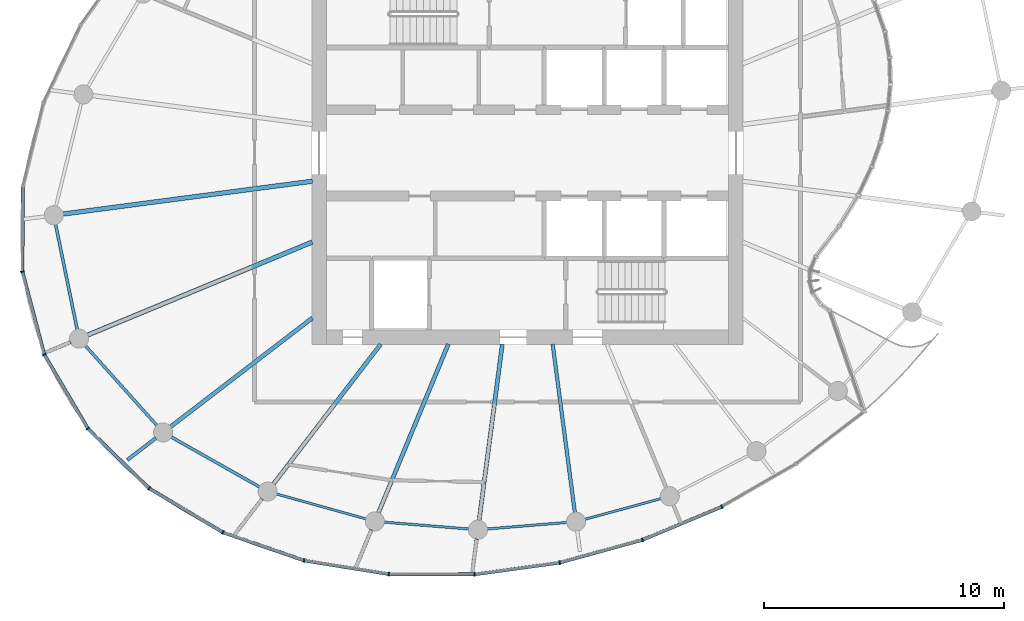
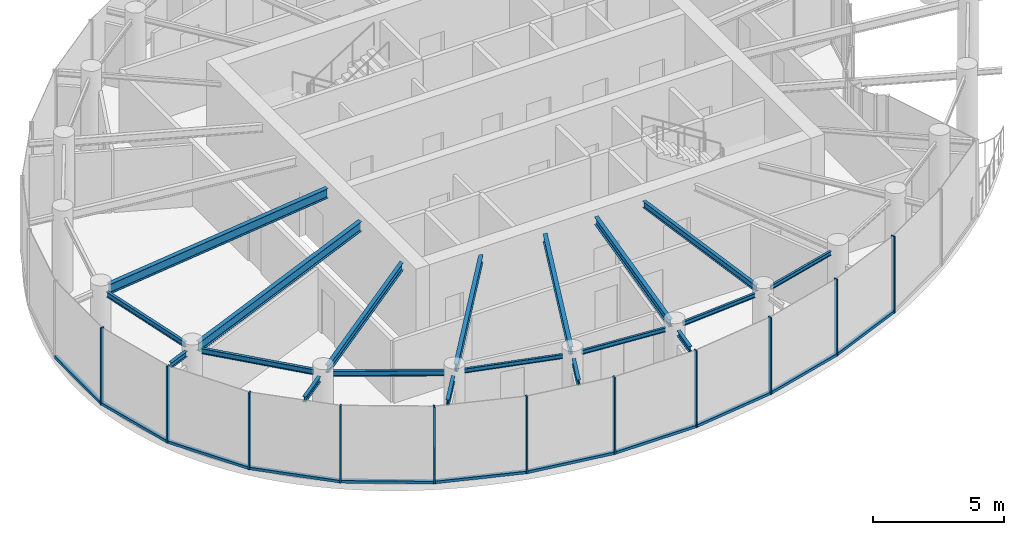
# One storey, part 2 of 14: 22 members, 19 beams, 3 elements without a shape of their own.
"""IFC4 building model written with IfcOpenShell, lengths in metres."""

from ifc_helpers import new_model, si_unit, direction, frame, origin, origin_2d, place, context, subcontext, project, spatial, rectangle, i_section, extrude, source, transform, mapped, material, layer, layer_set, material_profile, profile_set, type_object, element, aggregate, save


model = new_model("IFC4")

# Units and contexts
model_context = context("Model", 3, precision=1e-05, world=origin(), true_north=direction((0.0, 1.0)))
body_context = subcontext(model_context, "Body", "Model", "MODEL_VIEW")
ifc_project = project(units=[si_unit("LENGTHUNIT", "METRE"), si_unit("AREAUNIT", "SQUARE_METRE"), si_unit("VOLUMEUNIT", "CUBIC_METRE"), si_unit("PLANEANGLEUNIT", "RADIAN"), si_unit("MASSUNIT", "GRAM", prefix="KILO")], contexts=[model_context])

# Site, building, storey
site_placement = place(None, origin())
site = spatial("IfcSite", under=ifc_project, at=site_placement, CompositionType="ELEMENT")
building_placement = place(site_placement, origin())
building = spatial("IfcBuilding", under=site, at=building_placement, Name="Spindrift Exchange Tower", CompositionType="ELEMENT")
storey_placement = place(building_placement, frame((0.0, 0.0, 238.39990234375)))
storey = spatial("IfcBuildingStorey", under=building, at=storey_placement, Name="L58", CompositionType="ELEMENT", Elevation=238.39990234375)

# Beams
ifc_material_1 = material(Name="Steel Grade 300", Category="steel")
ifc_material_profile_1 = material_profile(ifc_material_1, i_section(OverallWidth=0.18994140625, OverallDepth=0.4541015625, WebThickness=0.008544921875, FlangeThickness=0.0126953125, FilletRadius=0.013916015625, at=origin_2d()), Name="460UB67.1")
ifc_profile_set_1 = profile_set([ifc_material_profile_1], Name="Steel Grade 300")
beam_type_1 = type_object("IfcBeamType", Name="Floor Beam 460UB67.1 Steel Grade 300", PredefinedType="BEAM", material=ifc_profile_set_1)
shared_shape_1 = source(origin(), body_context, "Body", "SweptSolid", [
    extrude(i_section(OverallWidth=0.18994140625, OverallDepth=0.4541015625, WebThickness=0.008544921875, FlangeThickness=0.0126953125, FilletRadius=0.013916015625, at=origin_2d()), origin(), (0.0, 0.0, 1.0), 10.510009765625),
])
beam_1_placement = place(storey_placement, frame((43.019775390625, 46.817626953125, 3.35302734375), z_axis=(-0.991445042488, -0.130524816516, 0.0), x_axis=(0.130524816516, -0.991445042488, 0.0)))
element("IfcBeam", 1, at=beam_1_placement, inside=storey, type_object=beam_type_1, Name="L58 radial beam R13A", PredefinedType="BEAM", context=body_context, shape_type="MappedRepresentation", body=[
    mapped(shared_shape_1, transform((0.0, 0.0, 0.0), scale=1.0)),
])
shared_shape_2 = source(origin(), body_context, "Body", "SweptSolid", [
    extrude(i_section(OverallWidth=0.18994140625, OverallDepth=0.4541015625, WebThickness=0.008544921875, FlangeThickness=0.0126953125, FilletRadius=0.013916015625, at=origin_2d()), origin(), (0.0, 0.0, 1.0), 10.160400390625),
])
beam_2_placement = place(storey_placement, frame((43.0185546875, 44.27978515625, 3.35302734375), z_axis=(-0.923880358773, -0.382681437588, 0.0), x_axis=(0.382681437588, -0.923880358773, 0.0)))
element("IfcBeam", 2, at=beam_2_placement, inside=storey, type_object=beam_type_1, Name="L58 radial beam R14A", PredefinedType="BEAM", context=body_context, shape_type="MappedRepresentation", body=[
    mapped(shared_shape_2, transform((0.0, 0.0, 0.0), scale=1.0)),
])
ifc_material_profile_2 = material_profile(ifc_material_1, i_section(OverallWidth=0.1708984375, OverallDepth=0.35205078125, WebThickness=0.0068359375, FlangeThickness=0.009765625, FilletRadius=0.013916015625, at=origin_2d()), Name="360UB44.7")
ifc_profile_set_2 = profile_set([ifc_material_profile_2], Name="Steel Grade 300")
beam_type_2 = type_object("IfcBeamType", Name="Floor Beam 360UB44.7 Steel Grade 300", PredefinedType="BEAM", material=ifc_profile_set_2)
shared_shape_3 = source(origin(), body_context, "Body", "SweptSolid", [
    extrude(i_section(OverallWidth=0.1708984375, OverallDepth=0.35205078125, WebThickness=0.0068359375, FlangeThickness=0.009765625, FilletRadius=0.013916015625, at=origin_2d()), origin(), (0.0, 0.0, 1.0), 7.466796875),
])
beam_3_placement = place(storey_placement, frame((43.015869140625, 41.106201171875, 3.404052734375), z_axis=(-0.793360004804, -0.608752743548, 0.0), x_axis=(0.608752743548, -0.793360004804, 0.0)))
element("IfcBeam", 3, at=beam_3_placement, inside=storey, type_object=beam_type_2, Name="L58 radial beam R15A", PredefinedType="BEAM", context=body_context, shape_type="MappedRepresentation", body=[
    mapped(shared_shape_3, transform((0.0, 0.0, 0.0), scale=1.0)),
])
shared_shape_4 = source(origin(), body_context, "Body", "SweptSolid", [
    extrude(i_section(OverallWidth=0.1708984375, OverallDepth=0.35205078125, WebThickness=0.0068359375, FlangeThickness=0.009765625, FilletRadius=0.013916015625, at=origin_2d()), origin(), (0.0, 0.0, 1.0), 7.3740234375),
])
beam_4_placement = place(storey_placement, frame((45.87353515625, 40.015869140625, 3.404052734375), z_axis=(-0.608751913917, -0.793360641387, 0.0), x_axis=(0.793360641387, -0.608751913917, 0.0)))
element("IfcBeam", 4, at=beam_4_placement, inside=storey, type_object=beam_type_2, Name="L58 radial beam R16A", PredefinedType="BEAM", context=body_context, shape_type="MappedRepresentation", body=[
    mapped(shared_shape_4, transform((0.0, 0.0, 0.0), scale=1.0)),
])
shared_shape_5 = source(origin(), body_context, "Body", "SweptSolid", [
    extrude(i_section(OverallWidth=0.1708984375, OverallDepth=0.35205078125, WebThickness=0.0068359375, FlangeThickness=0.009765625, FilletRadius=0.013916015625, at=origin_2d()), origin(), (0.0, 0.0, 1.0), 7.630859375),
])
beam_5_placement = place(storey_placement, frame((48.69384765625, 40.0185546875, 3.404052734375), z_axis=(-0.382676740702, -0.92388230426, 0.0), x_axis=(0.92388230426, -0.382676740702, 0.0)))
element("IfcBeam", 5, at=beam_5_placement, inside=storey, type_object=beam_type_2, Name="L58 radial beam R17A", PredefinedType="BEAM", context=body_context, shape_type="MappedRepresentation", body=[
    mapped(shared_shape_5, transform((0.0, 0.0, 0.0), scale=1.0)),
])
shared_shape_6 = source(origin(), body_context, "Body", "SweptSolid", [
    extrude(i_section(OverallWidth=0.1708984375, OverallDepth=0.35205078125, WebThickness=0.0068359375, FlangeThickness=0.009765625, FilletRadius=0.013916015625, at=origin_2d()), origin(), (0.0, 0.0, 1.0), 7.43798828125),
])
beam_6_placement = place(storey_placement, frame((50.949462890625, 40.019775390625, 3.404052734375), z_axis=(-0.130540269579, -0.991443007953, 0.0), x_axis=(0.991443007953, -0.130540269579, 0.0)))
element("IfcBeam", 6, at=beam_6_placement, inside=storey, type_object=beam_type_2, Name="L58 radial beam R18A", PredefinedType="BEAM", context=body_context, shape_type="MappedRepresentation", body=[
    mapped(shared_shape_6, transform((0.0, 0.0, 0.0), scale=1.0)),
])
ifc_material_profile_3 = material_profile(ifc_material_1, i_section(OverallWidth=0.14892578125, OverallDepth=0.298095703125, WebThickness=0.005615234375, FlangeThickness=0.008056640625, FilletRadius=0.012939453125, at=origin_2d()), Name="310UB32.0")
ifc_profile_set_3 = profile_set([ifc_material_profile_3], Name="Steel Grade 300")
beam_type_3 = type_object("IfcBeamType", Name="Floor Beam 310UB32.0 Steel Grade 300", PredefinedType="BEAM", material=ifc_profile_set_3)
shared_shape_7 = source(origin(), body_context, "Body", "SweptSolid", [
    extrude(i_section(OverallWidth=0.14892578125, OverallDepth=0.298095703125, WebThickness=0.005615234375, FlangeThickness=0.008056640625, FilletRadius=0.012939453125, at=origin_2d()), origin(), (0.0, 0.0, 1.0), 7.099853515625),
])
beam_7_placement = place(storey_placement, frame((53.050537109375, 40.019775390625, 3.43115234375), z_axis=(0.130532789835, -0.991443992759, 0.0), x_axis=(0.991443992759, 0.130532789835, 0.0)))
element("IfcBeam", 7, at=beam_7_placement, inside=storey, type_object=beam_type_3, Name="L58 radial beam R19A", PredefinedType="BEAM", context=body_context, shape_type="MappedRepresentation", body=[
    mapped(shared_shape_7, transform((0.0, 0.0, 0.0), scale=1.0)),
])
ifc_material_profile_4 = material_profile(ifc_material_1, i_section(OverallWidth=0.1240234375, OverallDepth=0.248046875, WebThickness=0.0048828125, FlangeThickness=0.008056640625, FilletRadius=0.011962890625, at=origin_2d()), Name="250UB25.7")
ifc_profile_set_4 = profile_set([ifc_material_profile_4], Name="Steel Grade 300")
beam_type_4 = type_object("IfcBeamType", Name="Edge Beam 250UB25.7 Steel Grade 300", PredefinedType="SPANDREL", material=ifc_profile_set_4)
shared_shape_8 = source(origin(), body_context, "Body", "SweptSolid", [
    extrude(i_section(OverallWidth=0.1240234375, OverallDepth=0.248046875, WebThickness=0.0048828125, FlangeThickness=0.008056640625, FilletRadius=0.011962890625, at=origin_2d()), origin(), (0.0, 0.0, 1.0), 4.497802734375),
])
beam_8_placement = place(storey_placement, frame((32.299072265625, 45.024169921875, 3.4560546875), z_axis=(0.201217935785, -0.979546498293, 0.0), x_axis=(0.979546498293, 0.201217935785, 0.0)))
element("IfcBeam", 8, at=beam_8_placement, inside=storey, type_object=beam_type_4, Name="L58 edge beam E13", PredefinedType="SPANDREL", context=body_context, shape_type="MappedRepresentation", body=[
    mapped(shared_shape_8, transform((0.0, 0.0, 0.0), scale=1.0)),
])
shared_shape_9 = source(origin(), body_context, "Body", "SweptSolid", [
    extrude(i_section(OverallWidth=0.1240234375, OverallDepth=0.248046875, WebThickness=0.0048828125, FlangeThickness=0.008056640625, FilletRadius=0.011962890625, at=origin_2d()), origin(), (0.0, 0.0, 1.0), 4.499755859375),
])
beam_9_placement = place(storey_placement, frame((33.533935546875, 39.963134765625, 3.4560546875), z_axis=(0.667419502646, -0.744681950558, 0.0), x_axis=(0.744681950558, 0.667419502646, 0.0)))
element("IfcBeam", 9, at=beam_9_placement, inside=storey, type_object=beam_type_4, Name="L58 edge beam E14", PredefinedType="SPANDREL", context=body_context, shape_type="MappedRepresentation", body=[
    mapped(shared_shape_9, transform((0.0, 0.0, 0.0), scale=1.0)),
])
shared_shape_10 = source(origin(), body_context, "Body", "SweptSolid", [
    extrude(i_section(OverallWidth=0.1240234375, OverallDepth=0.248046875, WebThickness=0.0048828125, FlangeThickness=0.008056640625, FilletRadius=0.011962890625, at=origin_2d()), origin(), (0.0, 0.0, 1.0), 4.2509765625),
])
beam_10_placement = place(storey_placement, frame((37.121337890625, 36.142333984375, 3.4560546875), z_axis=(0.870615246867, -0.491964523033, 0.0), x_axis=(0.491964523033, 0.870615246867, 0.0)))
element("IfcBeam", 10, at=beam_10_placement, inside=storey, type_object=beam_type_4, Name="L58 edge beam E15", PredefinedType="SPANDREL", context=body_context, shape_type="MappedRepresentation", body=[
    mapped(shared_shape_10, transform((0.0, 0.0, 0.0), scale=1.0)),
])
ifc_material_profile_5 = material_profile(ifc_material_1, i_section(OverallWidth=0.09912109375, OverallDepth=0.197998046875, WebThickness=0.00439453125, FlangeThickness=0.007080078125, FilletRadius=0.010986328125, at=origin_2d()), Name="200UB18.2")
ifc_profile_set_5 = profile_set([ifc_material_profile_5], Name="Steel Grade 300")
beam_type_5 = type_object("IfcBeamType", Name="Edge Beam 200UB18.2 Steel Grade 300", PredefinedType="SPANDREL", material=ifc_profile_set_5)
shared_shape_11 = source(origin(), body_context, "Body", "SweptSolid", [
    extrude(i_section(OverallWidth=0.09912109375, OverallDepth=0.197998046875, WebThickness=0.00439453125, FlangeThickness=0.007080078125, FilletRadius=0.010986328125, at=origin_2d()), origin(), (0.0, 0.0, 1.0), 3.885498046875),
])
beam_11_placement = place(storey_placement, frame((41.519287109375, 33.761962890625, 3.481201171875), z_axis=(0.963333134661, -0.268308165482, 0.0), x_axis=(0.268308165482, 0.963333134661, 0.0)))
element("IfcBeam", 11, at=beam_11_placement, inside=storey, type_object=beam_type_5, Name="L58 edge beam E16", PredefinedType="SPANDREL", context=body_context, shape_type="MappedRepresentation", body=[
    mapped(shared_shape_11, transform((0.0, 0.0, 0.0), scale=1.0)),
])
shared_shape_12 = source(origin(), body_context, "Body", "SweptSolid", [
    extrude(i_section(OverallWidth=0.09912109375, OverallDepth=0.197998046875, WebThickness=0.00439453125, FlangeThickness=0.007080078125, FilletRadius=0.010986328125, at=origin_2d()), origin(), (0.0, 0.0, 1.0), 3.5546875),
])
beam_12_placement = place(storey_placement, frame((46.007080078125, 32.586669921875, 3.481201171875), z_axis=(0.996727103969, -0.080839842983, 0.0), x_axis=(0.080839842983, 0.996727103969, 0.0)))
element("IfcBeam", 12, at=beam_12_placement, inside=storey, type_object=beam_type_5, Name="L58 edge beam E17", PredefinedType="SPANDREL", context=body_context, shape_type="MappedRepresentation", body=[
    mapped(shared_shape_12, transform((0.0, 0.0, 0.0), scale=1.0)),
])
shared_shape_13 = source(origin(), body_context, "Body", "SweptSolid", [
    extrude(i_section(OverallWidth=0.09912109375, OverallDepth=0.197998046875, WebThickness=0.00439453125, FlangeThickness=0.007080078125, FilletRadius=0.010986328125, at=origin_2d()), origin(), (0.0, 0.0, 1.0), 3.351806640625),
])
beam_13_placement = place(storey_placement, frame((50.3076171875, 32.2998046875, 3.481201171875), z_axis=(0.996672670999, 0.081508201334, 0.0), x_axis=(-0.081508201334, 0.996672670999, 0.0)))
element("IfcBeam", 13, at=beam_13_placement, inside=storey, type_object=beam_type_5, Name="L58 edge beam E18", PredefinedType="SPANDREL", context=body_context, shape_type="MappedRepresentation", body=[
    mapped(shared_shape_13, transform((0.0, 0.0, 0.0), scale=1.0)),
])
shared_shape_14 = source(origin(), body_context, "Body", "SweptSolid", [
    extrude(i_section(OverallWidth=0.09912109375, OverallDepth=0.197998046875, WebThickness=0.00439453125, FlangeThickness=0.007080078125, FilletRadius=0.010986328125, at=origin_2d()), origin(), (0.0, 0.0, 1.0), 3.2919921875),
])
beam_14_placement = place(storey_placement, frame((54.3935546875, 32.70361328125, 3.481201171875), z_axis=(0.965045644564, 0.262081864896, 0.0), x_axis=(-0.262081864896, 0.965045644564, 0.0)))
element("IfcBeam", 14, at=beam_14_placement, inside=storey, type_object=beam_type_5, Name="L58 edge beam E19", PredefinedType="SPANDREL", context=body_context, shape_type="MappedRepresentation", body=[
    mapped(shared_shape_14, transform((0.0, 0.0, 0.0), scale=1.0)),
])
ifc_material_profile_6 = material_profile(ifc_material_1, i_section(OverallWidth=0.14599609375, OverallDepth=0.251953125, WebThickness=0.006103515625, FlangeThickness=0.008544921875, FilletRadius=0.011962890625, at=origin_2d()), Name="250UB31.4")
ifc_profile_set_6 = profile_set([ifc_material_profile_6], Name="Steel Grade 300")
beam_type_6 = type_object("IfcBeamType", Name="Cantilever Beam 250UB31.4 Steel Grade 300", PredefinedType="BEAM", material=ifc_profile_set_6)
shared_shape_15 = source(origin(), body_context, "Body", "SweptSolid", [
    extrude(i_section(OverallWidth=0.14599609375, OverallDepth=0.251953125, WebThickness=0.006103515625, FlangeThickness=0.008544921875, FilletRadius=0.011962890625, at=origin_2d()), origin(), (0.0, 0.0, 1.0), 0.982177734375),
])
beam_15_placement = place(storey_placement, frame((32.92919921875, 40.1005859375, 3.4541015625), z_axis=(-0.923847174836, -0.382761541363, 0.0), x_axis=(0.382761541363, -0.923847174836, 0.0)))
element("IfcBeam", 15, at=beam_15_placement, inside=storey, type_object=beam_type_6, Name="L58 cantilever beam R14T", PredefinedType="BEAM", context=body_context, shape_type="MappedRepresentation", body=[
    mapped(shared_shape_15, transform((0.0, 0.0, 0.0), scale=1.0)),
])
shared_shape_16 = source(origin(), body_context, "Body", "SweptSolid", [
    extrude(i_section(OverallWidth=0.14599609375, OverallDepth=0.251953125, WebThickness=0.006103515625, FlangeThickness=0.008544921875, FilletRadius=0.011962890625, at=origin_2d()), origin(), (0.0, 0.0, 1.0), 1.505859375),
])
beam_16_placement = place(storey_placement, frame((36.489013671875, 36.09814453125, 3.4541015625), z_axis=(-0.793316610428, -0.608809293308, 0.0), x_axis=(0.608809293308, -0.793316610428, 0.0)))
element("IfcBeam", 16, at=beam_16_placement, inside=storey, type_object=beam_type_6, Name="L58 cantilever beam R15T", PredefinedType="BEAM", context=body_context, shape_type="MappedRepresentation", body=[
    mapped(shared_shape_16, transform((0.0, 0.0, 0.0), scale=1.0)),
])
shared_shape_17 = source(origin(), body_context, "Body", "SweptSolid", [
    extrude(i_section(OverallWidth=0.14599609375, OverallDepth=0.251953125, WebThickness=0.006103515625, FlangeThickness=0.008544921875, FilletRadius=0.011962890625, at=origin_2d()), origin(), (0.0, 0.0, 1.0), 1.640380859375),
])
beam_17_placement = place(storey_placement, frame((40.921630859375, 33.5625, 3.4541015625), z_axis=(-0.608703333752, -0.793397914971, 0.0), x_axis=(0.793397914971, -0.608703333752, 0.0)))
element("IfcBeam", 17, at=beam_17_placement, inside=storey, type_object=beam_type_6, Name="L58 cantilever beam R16T", PredefinedType="BEAM", context=body_context, shape_type="MappedRepresentation", body=[
    mapped(shared_shape_17, transform((0.0, 0.0, 0.0), scale=1.0)),
])
shared_shape_18 = source(origin(), body_context, "Body", "SweptSolid", [
    extrude(i_section(OverallWidth=0.14599609375, OverallDepth=0.251953125, WebThickness=0.006103515625, FlangeThickness=0.008544921875, FilletRadius=0.011962890625, at=origin_2d()), origin(), (0.0, 0.0, 1.0), 1.478515625),
])
beam_18_placement = place(storey_placement, frame((45.48291015625, 32.266357421875, 3.4541015625), z_axis=(-0.382750394355, -0.923851793104, 0.0), x_axis=(0.923851793104, -0.382750394355, 0.0)))
element("IfcBeam", 18, at=beam_18_placement, inside=storey, type_object=beam_type_6, Name="L58 cantilever beam R17T", PredefinedType="BEAM", context=body_context, shape_type="MappedRepresentation", body=[
    mapped(shared_shape_18, transform((0.0, 0.0, 0.0), scale=1.0)),
])
shared_shape_19 = source(origin(), body_context, "Body", "SweptSolid", [
    extrude(i_section(OverallWidth=0.14599609375, OverallDepth=0.251953125, WebThickness=0.006103515625, FlangeThickness=0.008544921875, FilletRadius=0.011962890625, at=origin_2d()), origin(), (0.0, 0.0, 1.0), 1.18896484375),
])
beam_19_placement = place(storey_placement, frame((49.87939453125, 31.891845703125, 3.4541015625), z_axis=(-0.130603247307, -0.991434713833, 0.0), x_axis=(0.991434713833, -0.130603247307, 0.0)))
element("IfcBeam", 19, at=beam_19_placement, inside=storey, type_object=beam_type_6, Name="L58 cantilever beam R18T", PredefinedType="BEAM", context=body_context, shape_type="MappedRepresentation", body=[
    mapped(shared_shape_19, transform((0.0, 0.0, 0.0), scale=1.0)),
])

# Curtain wall, members
ifc_material_2 = material(Name="Fritted laminated glass with bronze frame", Category="glass")
ifc_layer = layer(ifc_material_2, 0.159912109375)
ifc_layer_set = layer_set([ifc_layer], Name="ZONE 5 BRONZE FRITTED WALL")
curtain_wall_type = type_object("IfcCurtainWallType", Name="ZONE 5 BRONZE FRITTED WALL", PredefinedType="NOTDEFINED", material=ifc_layer_set)
curtain_wall_1_placement = place(storey_placement, origin())
curtain_wall_1 = element("IfcCurtainWall", 20, at=curtain_wall_1_placement, inside=storey, type_object=curtain_wall_type, Name="L58 Zone 5 Bronze Fritted Wall run 2", PredefinedType="NOTDEFINED")
ifc_material_3 = material(Name="Bronze anodised aluminium", Category="aluminium")
ifc_material_profile_7 = material_profile(ifc_material_3, rectangle(XDim=0.06005859375, YDim=0.159912109375, at=origin_2d()), Name="ZONE 5 BRONZE FRITTED WALL MULLION 60X160")
ifc_profile_set_7 = profile_set([ifc_material_profile_7], Name="Bronze anodised aluminium")
member_type_1 = type_object("IfcMemberType", Name="ZONE 5 BRONZE FRITTED WALL MULLION 60X160", PredefinedType="MULLION", material=ifc_profile_set_7)
shared_shape_20 = source(origin(), body_context, "Body", "SweptSolid", [
    extrude(rectangle(XDim=0.06005859375, YDim=0.159912109375, at=origin_2d()), origin(), (0.0, 0.0, 1.0), 3.580078125),
])
member_1_placement = place(storey_placement, frame((30.91552734375, 43.0380859375, 0.0), z_axis=(0.0, 0.0, 1.0), x_axis=(0.125605293387, -0.992080294267, 0.0)))
member_1 = element("IfcMember", 21, at=member_1_placement, type_object=member_type_1, Name="L58 mullion CW-5.11", PredefinedType="MULLION", context=body_context, shape_type="MappedRepresentation", body=[
    mapped(shared_shape_20, transform((0.0, 0.0, 0.0), scale=1.0)),
])
member_2_placement = place(storey_placement, frame((31.82763671875, 39.578857421875, 0.0), z_axis=(0.0, 0.0, 1.0), x_axis=(0.385231581504, -0.92281993293, 0.0)))
member_2 = element("IfcMember", 22, at=member_2_placement, type_object=member_type_1, Name="L58 mullion CW-5.12", PredefinedType="MULLION", context=body_context, shape_type="MappedRepresentation", body=[
    mapped(shared_shape_20, transform((0.0, 0.0, 0.0), scale=1.0)),
])

curtain_wall_2_placement = place(storey_placement, origin())
curtain_wall_2 = element("IfcCurtainWall", 23, at=curtain_wall_2_placement, inside=storey, type_object=curtain_wall_type, Name="L58 Zone 5 Bronze Fritted Wall run 3", PredefinedType="NOTDEFINED")
member_3_placement = place(storey_placement, frame((33.64599609375, 36.497802734375, 0.0), z_axis=(0.0, 0.0, 1.0), x_axis=(0.617057197013, -0.786918303012, 0.0)))
member_3 = element("IfcMember", 24, at=member_3_placement, type_object=member_type_1, Name="L58 mullion CW-5.13", PredefinedType="MULLION", context=body_context, shape_type="MappedRepresentation", body=[
    mapped(shared_shape_20, transform((0.0, 0.0, 0.0), scale=1.0)),
])
member_4_placement = place(storey_placement, frame((36.205810546875, 33.99609375, 0.0), z_axis=(0.0, 0.0, 1.0), x_axis=(0.792386467555, -0.610019414475, 0.0)))
member_4 = element("IfcMember", 25, at=member_4_placement, type_object=member_type_1, Name="L58 mullion CW-5.14", PredefinedType="MULLION", context=body_context, shape_type="MappedRepresentation", body=[
    mapped(shared_shape_20, transform((0.0, 0.0, 0.0), scale=1.0)),
])
member_5_placement = place(storey_placement, frame((39.28076171875, 32.16015625, 0.0), z_axis=(0.0, 0.0, 1.0), x_axis=(0.906277890409, -0.422682369346, 0.0)))
member_5 = element("IfcMember", 26, at=member_5_placement, type_object=member_type_1, Name="L58 mullion CW-5.15", PredefinedType="MULLION", context=body_context, shape_type="MappedRepresentation", body=[
    mapped(shared_shape_20, transform((0.0, 0.0, 0.0), scale=1.0)),
])
member_6_placement = place(storey_placement, frame((42.66552734375, 30.9833984375, 0.0), z_axis=(0.0, 0.0, 1.0), x_axis=(0.969751756863, -0.244093281473, 0.0)))
member_6 = element("IfcMember", 27, at=member_6_placement, type_object=member_type_1, Name="L58 mullion CW-5.16", PredefinedType="MULLION", context=body_context, shape_type="MappedRepresentation", body=[
    mapped(shared_shape_20, transform((0.0, 0.0, 0.0), scale=1.0)),
])
member_7_placement = place(storey_placement, frame((46.205078125, 30.417236328125, 0.0), z_axis=(0.0, 0.0, 1.0), x_axis=(0.99671274336, -0.081016709532, 0.0)))
member_7 = element("IfcMember", 28, at=member_7_placement, type_object=member_type_1, Name="L58 mullion CW-5.17", PredefinedType="MULLION", context=body_context, shape_type="MappedRepresentation", body=[
    mapped(shared_shape_20, transform((0.0, 0.0, 0.0), scale=1.0)),
])
member_8_placement = place(storey_placement, frame((49.790771484375, 30.404296875, 0.0), z_axis=(0.0, 0.0, 1.0), x_axis=(0.997781463124, 0.066574408342, 0.0)))
member_8 = element("IfcMember", 29, at=member_8_placement, type_object=member_type_1, Name="L58 mullion CW-5.18", PredefinedType="MULLION", context=body_context, shape_type="MappedRepresentation", body=[
    mapped(shared_shape_20, transform((0.0, 0.0, 0.0), scale=1.0)),
])

curtain_wall_3_placement = place(storey_placement, origin())
curtain_wall_3 = element("IfcCurtainWall", 30, at=curtain_wall_3_placement, inside=storey, type_object=curtain_wall_type, Name="L58 Zone 5 Bronze Fritted Wall run 4", PredefinedType="NOTDEFINED")
member_9_placement = place(storey_placement, frame((53.34326171875, 30.8935546875, 0.0), z_axis=(0.0, 0.0, 1.0), x_axis=(0.979552341633, 0.201189487799, 0.0)))
member_9 = element("IfcMember", 31, at=member_9_placement, type_object=member_type_1, Name="L58 mullion CW-5.19", PredefinedType="MULLION", context=body_context, shape_type="MappedRepresentation", body=[
    mapped(shared_shape_20, transform((0.0, 0.0, 0.0), scale=1.0)),
])
member_10_placement = place(storey_placement, frame((56.80126953125, 31.84423828125, 0.0), z_axis=(0.0, 0.0, 1.0), x_axis=(0.945429833454, 0.325825766346, 0.0)))
member_10 = element("IfcMember", 32, at=member_10_placement, type_object=member_type_1, Name="L58 mullion CW-5.20", PredefinedType="MULLION", context=body_context, shape_type="MappedRepresentation", body=[
    mapped(shared_shape_20, transform((0.0, 0.0, 0.0), scale=1.0)),
])
member_11_placement = place(storey_placement, frame((60.110595703125, 33.225830078125, 0.0), z_axis=(0.0, 0.0, 1.0), x_axis=(0.896473837018, 0.443096670651, 0.0)))
member_11 = element("IfcMember", 33, at=member_11_placement, type_object=member_type_1, Name="L58 mullion CW-5.21", PredefinedType="MULLION", context=body_context, shape_type="MappedRepresentation", body=[
    mapped(shared_shape_20, transform((0.0, 0.0, 0.0), scale=1.0)),
])
ifc_material_profile_8 = material_profile(ifc_material_3, rectangle(XDim=0.139892578125, YDim=0.1201171875, at=origin_2d()), Name="ZONE 5 BRONZE FRITTED WALL TRANSOM 140X120")
ifc_profile_set_8 = profile_set([ifc_material_profile_8], Name="Bronze anodised aluminium")
member_type_2 = type_object("IfcMemberType", Name="ZONE 5 BRONZE FRITTED WALL TRANSOM 140X120", PredefinedType="USERDEFINED", material=ifc_profile_set_8)
shared_shape_21 = source(origin(), body_context, "Body", "SweptSolid", [
    extrude(rectangle(XDim=0.139892578125, YDim=0.1201171875, at=origin_2d()), origin(), (0.0, 0.0, 1.0), 3.5263671875),
])
member_12_placement = place(storey_placement, frame((53.3720703125, 30.901611328125, 0.06005859375), z_axis=(0.96422176414, 0.265096943699, 0.0), x_axis=(-0.265096943699, 0.96422176414, 0.0)))
member_12 = element("IfcMember", 34, at=member_12_placement, type_object=member_type_2, Name="L58 transom CW-5.19", ObjectType="TRANSOM", PredefinedType="USERDEFINED", context=body_context, shape_type="MappedRepresentation", body=[
    mapped(shared_shape_21, transform((0.0, 0.0, 0.0), scale=1.0)),
])
member_13_placement = place(storey_placement, frame((56.828857421875, 31.85595703125, 0.06005859375), z_axis=(0.922824777506, 0.385219976145, 0.0), x_axis=(-0.385219976145, 0.922824777506, 0.0)))
member_13 = element("IfcMember", 35, at=member_13_placement, type_object=member_type_2, Name="L58 transom CW-5.20", ObjectType="TRANSOM", PredefinedType="USERDEFINED", context=body_context, shape_type="MappedRepresentation", body=[
    mapped(shared_shape_21, transform((0.0, 0.0, 0.0), scale=1.0)),
])
aggregate(curtain_wall_3, [member_9, member_12, member_10, member_13, member_11])

# Member
shared_shape_22 = source(origin(), body_context, "Body", "SweptSolid", [
    extrude(rectangle(XDim=0.139892578125, YDim=0.1201171875, at=origin_2d()), origin(), (0.0, 0.0, 1.0), 3.524658203125),
])
member_14_placement = place(storey_placement, frame((42.695068359375, 30.978759765625, 0.06005859375), z_axis=(0.987451003426, -0.157925665531, 0.0), x_axis=(0.157925665531, 0.987451003426, 0.0)))
member_14 = element("IfcMember", 36, at=member_14_placement, type_object=member_type_2, Name="L58 transom CW-5.16", ObjectType="TRANSOM", PredefinedType="USERDEFINED", context=body_context, shape_type="MappedRepresentation", body=[
    mapped(shared_shape_22, transform((0.0, 0.0, 0.0), scale=1.0)),
])

shared_shape_23 = source(origin(), body_context, "Body", "SweptSolid", [
    extrude(rectangle(XDim=0.139892578125, YDim=0.1201171875, at=origin_2d()), origin(), (0.0, 0.0, 1.0), 3.521484375),
])
member_15_placement = place(storey_placement, frame((36.2314453125, 33.980712890625, 0.06005859375), z_axis=(0.858622522758, -0.512608391867, 0.0), x_axis=(0.512608391867, 0.858622522758, 0.0)))
member_15 = element("IfcMember", 37, at=member_15_placement, type_object=member_type_2, Name="L58 transom CW-5.14", ObjectType="TRANSOM", PredefinedType="USERDEFINED", context=body_context, shape_type="MappedRepresentation", body=[
    mapped(shared_shape_23, transform((0.0, 0.0, 0.0), scale=1.0)),
])

shared_shape_24 = source(origin(), body_context, "Body", "SweptSolid", [
    extrude(rectangle(XDim=0.139892578125, YDim=0.1201171875, at=origin_2d()), origin(), (0.0, 0.0, 1.0), 3.519287109375),
])
member_16_placement = place(storey_placement, frame((30.9365234375, 46.58740234375, 0.06005859375), z_axis=(-0.005896532938, -0.999982615299, 0.0), x_axis=(0.999982615299, -0.005896532938, 0.0)))
member_16 = element("IfcMember", 38, at=member_16_placement, type_object=member_type_2, Name="L58 transom CW-5.10", ObjectType="TRANSOM", PredefinedType="USERDEFINED", context=body_context, shape_type="MappedRepresentation", body=[
    mapped(shared_shape_24, transform((0.0, 0.0, 0.0), scale=1.0)),
])

member_17_placement = place(storey_placement, frame((33.667236328125, 36.476806640625, 0.06005859375), z_axis=(0.715210844811, -0.698908754749, 0.0), x_axis=(0.698908754749, 0.715210844811, 0.0)))
member_17 = element("IfcMember", 39, at=member_17_placement, type_object=member_type_2, Name="L58 transom CW-5.13", ObjectType="TRANSOM", PredefinedType="USERDEFINED", context=body_context, shape_type="MappedRepresentation", body=[
    mapped(shared_shape_24, transform((0.0, 0.0, 0.0), scale=1.0)),
])

shared_shape_25 = source(origin(), body_context, "Body", "SweptSolid", [
    extrude(rectangle(XDim=0.139892578125, YDim=0.1201171875, at=origin_2d()), origin(), (0.0, 0.0, 1.0), 3.517333984375),
])
member_18_placement = place(storey_placement, frame((31.843017578125, 39.552978515625, 0.06005859375), z_axis=(0.508214763525, -0.861230372278, 0.0), x_axis=(0.861230372278, 0.508214763525, 0.0)))
member_18 = element("IfcMember", 40, at=member_18_placement, type_object=member_type_2, Name="L58 transom CW-5.12", ObjectType="TRANSOM", PredefinedType="USERDEFINED", context=body_context, shape_type="MappedRepresentation", body=[
    mapped(shared_shape_25, transform((0.0, 0.0, 0.0), scale=1.0)),
])

shared_shape_26 = source(origin(), body_context, "Body", "SweptSolid", [
    extrude(rectangle(XDim=0.139892578125, YDim=0.1201171875, at=origin_2d()), origin(), (0.0, 0.0, 1.0), 3.526123046875),
])
member_19_placement = place(storey_placement, frame((49.8203125, 30.408447265625, 0.06005859375), z_axis=(0.990654063092, 0.136398413775, 0.0), x_axis=(-0.136398413775, 0.990654063092, 0.0)))
member_19 = element("IfcMember", 41, at=member_19_placement, type_object=member_type_2, Name="L58 transom CW-5.18", ObjectType="TRANSOM", PredefinedType="USERDEFINED", context=body_context, shape_type="MappedRepresentation", body=[
    mapped(shared_shape_26, transform((0.0, 0.0, 0.0), scale=1.0)),
])

shared_shape_27 = source(origin(), body_context, "Body", "SweptSolid", [
    extrude(rectangle(XDim=0.139892578125, YDim=0.1201171875, at=origin_2d()), origin(), (0.0, 0.0, 1.0), 3.5234375),
])
member_20_placement = place(storey_placement, frame((39.30908203125, 32.150146484375, 0.06005859375), z_axis=(0.944573423314, -0.328300240586, 0.0), x_axis=(0.328300240586, 0.944573423314, 0.0)))
member_20 = element("IfcMember", 42, at=member_20_placement, type_object=member_type_2, Name="L58 transom CW-5.15", ObjectType="TRANSOM", PredefinedType="USERDEFINED", context=body_context, shape_type="MappedRepresentation", body=[
    mapped(shared_shape_27, transform((0.0, 0.0, 0.0), scale=1.0)),
])

shared_shape_28 = source(origin(), body_context, "Body", "SweptSolid", [
    extrude(rectangle(XDim=0.139892578125, YDim=0.1201171875, at=origin_2d()), origin(), (0.0, 0.0, 1.0), 3.517578125),
])
member_21_placement = place(storey_placement, frame((30.92333984375, 43.00927734375, 0.06005859375), z_axis=(0.254927149218, -0.966960262157, 0.0), x_axis=(0.966960262157, 0.254927149218, 0.0)))
member_21 = element("IfcMember", 43, at=member_21_placement, type_object=member_type_2, Name="L58 transom CW-5.11", ObjectType="TRANSOM", PredefinedType="USERDEFINED", context=body_context, shape_type="MappedRepresentation", body=[
    mapped(shared_shape_28, transform((0.0, 0.0, 0.0), scale=1.0)),
])

aggregate(curtain_wall_1, [member_16, member_1, member_21, member_2, member_18])

shared_shape_29 = source(origin(), body_context, "Body", "SweptSolid", [
    extrude(rectangle(XDim=0.139892578125, YDim=0.1201171875, at=origin_2d()), origin(), (0.0, 0.0, 1.0), 3.525634765625),
])
member_22_placement = place(storey_placement, frame((46.235107421875, 30.417236328125, 0.06005859375), z_axis=(0.999993516971, -0.003600835322, 0.0), x_axis=(0.003600835322, 0.999993516971, 0.0)))
member_22 = element("IfcMember", 44, at=member_22_placement, type_object=member_type_2, Name="L58 transom CW-5.17", ObjectType="TRANSOM", PredefinedType="USERDEFINED", context=body_context, shape_type="MappedRepresentation", body=[
    mapped(shared_shape_29, transform((0.0, 0.0, 0.0), scale=1.0)),
])

aggregate(curtain_wall_2, [member_3, member_17, member_4, member_15, member_5, member_20, member_6, member_14, member_7, member_22, member_8, member_19])

save(model, "model.ifc")
